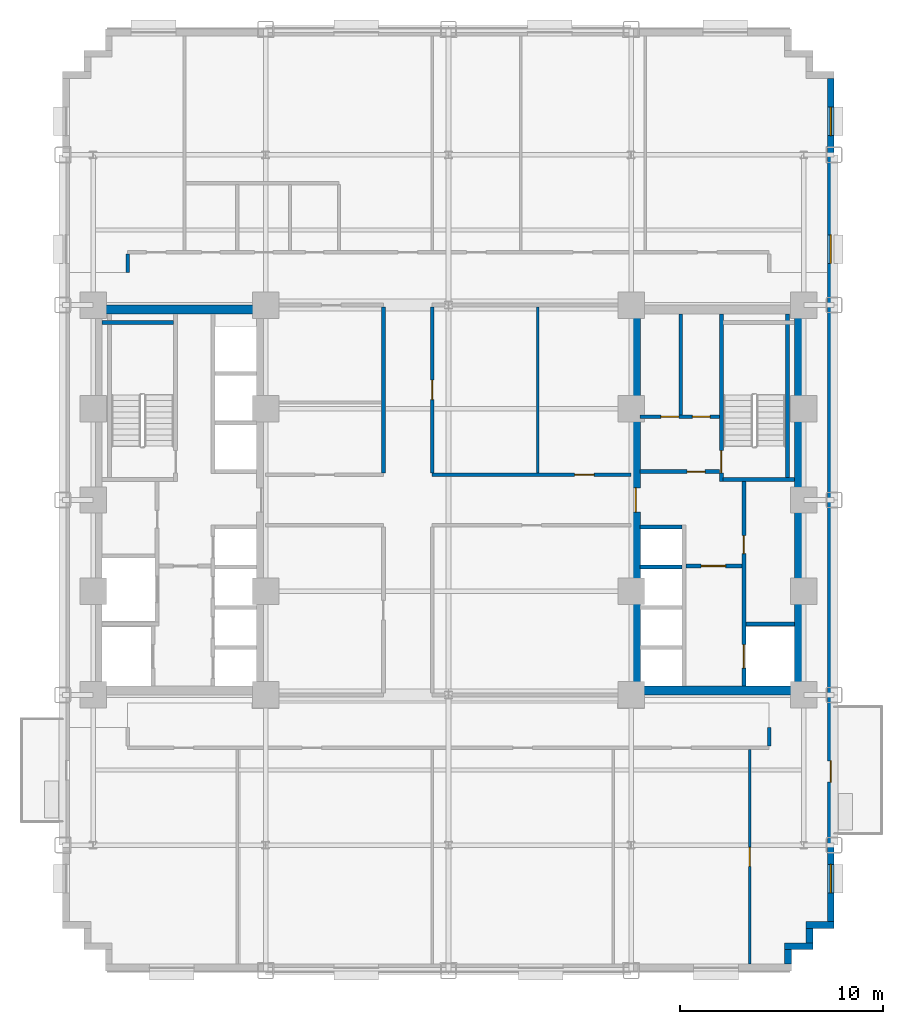
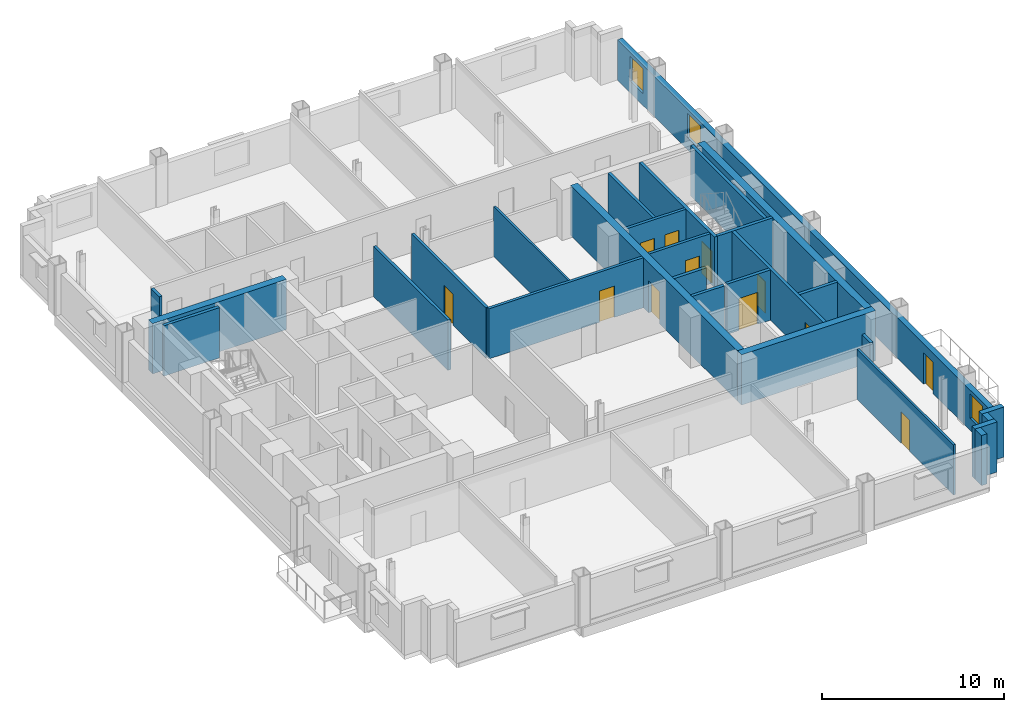
# One storey, part 6 of 12: 28 walls, 12 doors, 3 windows, 15 openings.
"""IFC4 building model written with IfcOpenShell, lengths in metres."""

from ifc_helpers import new_model, si_unit, direction, frame, frame_2d, origin, place, context, subcontext, project, spatial, rectangle, extrude, source, transform, mapped, material, layer, layer_set, type_object, type_shapes, element, fill, save


model = new_model("IFC4")

# Units and contexts
model_context = context("Model", 3, precision=1e-05, world=origin(), true_north=direction((0.0, 1.0)))
body_context = subcontext(model_context, "Body", "Model", "MODEL_VIEW")
ifc_project = project(units=[si_unit("LENGTHUNIT", "METRE"), si_unit("AREAUNIT", "SQUARE_METRE"), si_unit("VOLUMEUNIT", "CUBIC_METRE"), si_unit("PLANEANGLEUNIT", "RADIAN"), si_unit("MASSUNIT", "GRAM", prefix="KILO")], contexts=[model_context])

# Site, building, storey
site_placement = place(None, origin())
site = spatial("IfcSite", under=ifc_project, at=site_placement, CompositionType="ELEMENT")
building_placement = place(site_placement, origin())
building = spatial("IfcBuilding", under=site, at=building_placement, Name="Nuvemarco Arch Tower", CompositionType="ELEMENT")
storey_placement = place(building_placement, frame((0.0, 0.0, 45.85009765625)))
storey = spatial("IfcBuildingStorey", under=building, at=storey_placement, Name="L11", CompositionType="ELEMENT", Elevation=45.85009765625)

# Walls
ifc_material_1 = material(Name="Precast concrete C45/55", Category="concrete")
ifc_layer_1 = layer(ifc_material_1, 0.340087890625, Name="EW-LOW-340")
ifc_layer_set_1 = layer_set([ifc_layer_1], Name="Precast concrete C45/55")
wall_type_1 = type_object("IfcWallType", Name="EW-LOW-340", PredefinedType="STANDARD", material=ifc_layer_set_1)
wall_1_placement = place(storey_placement, frame((16.72998046875, -22.864013671875, 0.0), z_axis=(0.0, 0.0, 1.0), x_axis=(0.0, 1.0, 0.0)))
element("IfcWall", 1, at=wall_1_placement, inside=storey, type_object=wall_type_1, Name="L11 exterior precast facade wall 2", PredefinedType="STANDARD", context=body_context, shape_type="SweptSolid", body=[
    extrude(rectangle(XDim=0.718017578125, YDim=0.340087890625, at=frame_2d((0.35888671875, 0.0))), origin(), (0.0, 0.0, 1.0), 3.35986328125),
])
wall_2_placement = place(storey_placement, frame((16.56005859375, -21.97998046875, 0.0), z_axis=(0.0, 0.0, 1.0), x_axis=(1.0, 0.0, 0.0)))
element("IfcWall", 2, at=wall_2_placement, inside=storey, type_object=wall_type_1, Name="L11 exterior precast facade wall 3", PredefinedType="STANDARD", context=body_context, shape_type="SweptSolid", body=[
    extrude(rectangle(XDim=1.389892578125, YDim=0.340087890625, at=frame_2d((0.69482421875, 0.0))), origin(), (0.0, 0.0, 1.0), 3.35986328125),
])
wall_3_placement = place(storey_placement, frame((17.780029296875, -21.81396484375, 0.0), z_axis=(0.0, 0.0, 1.0), x_axis=(0.0, 1.0, 0.0)))
element("IfcWall", 3, at=wall_3_placement, inside=storey, type_object=wall_type_1, Name="L11 exterior precast facade wall 4", PredefinedType="STANDARD", context=body_context, shape_type="SweptSolid", body=[
    extrude(rectangle(XDim=0.718017578125, YDim=0.340087890625, at=frame_2d((0.35888671875, 0.0))), origin(), (0.0, 0.0, 1.0), 3.35986328125),
])
wall_4_placement = place(storey_placement, frame((17.610107421875, -20.929931640625, 0.0), z_axis=(0.0, 0.0, 1.0), x_axis=(1.0, 0.0, 0.0)))
element("IfcWall", 4, at=wall_4_placement, inside=storey, type_object=wall_type_1, Name="L11 exterior precast facade wall 5", PredefinedType="STANDARD", context=body_context, shape_type="SweptSolid", body=[
    extrude(rectangle(XDim=1.389892578125, YDim=0.340087890625, at=frame_2d((0.69482421875, 0.0))), origin(), (0.0, 0.0, 1.0), 3.35986328125),
])

# Wall, openings, door, windows
wall_5_placement = place(storey_placement, frame((18.830078125, -20.763916015625, 0.0), z_axis=(0.0, 0.0, 1.0), x_axis=(0.0, 1.0, 0.0)))
wall_5 = element("IfcWall", 5, at=wall_5_placement, inside=storey, type_object=wall_type_1, Name="L11 exterior precast facade wall 6", PredefinedType="STANDARD", context=body_context, shape_type="SweptSolid", body=[
    extrude(rectangle(XDim=41.52783203125, YDim=0.340087890625, at=frame_2d((20.763916015625, 0.0))), origin(), (0.0, 0.0, 1.0), 2.704833984375),
])
opening_1_placement = place(wall_5_placement, frame((7.9140625, 0.0, 0.0), z_axis=(0.0, 0.0, 1.0), x_axis=(-1.0, 0.0, 0.0)))
opening_1 = element("IfcOpeningElement", 6, at=opening_1_placement, cuts=wall_5, Name="Opening ED-5", PredefinedType="OPENING", context=body_context, shape_type="SweptSolid", body=[
    extrude(rectangle(XDim=1.050048828125, YDim=2.10009765625, at=frame_2d((0.52490234375, 1.050048828125))), frame((0.0, 0.179931640625, 0.0), z_axis=(0.0, -1.0, 0.0), x_axis=(1.0, 0.0, 0.0)), (0.0, 0.0, 1.0), 0.360107421875),
])
opening_2_placement = place(wall_5_placement, frame((1.42041015625, 0.0, 0.800048828125)))
opening_2 = element("IfcOpeningElement", 7, at=opening_2_placement, cuts=wall_5, Name="Opening WN-4", PredefinedType="OPENING", context=body_context, shape_type="SweptSolid", body=[
    extrude(rectangle(XDim=1.39990234375, YDim=1.64990234375, at=frame_2d((0.699951171875, 0.824951171875))), frame((0.0, 0.179931640625, 0.0), z_axis=(0.0, -1.0, 0.0), x_axis=(1.0, 0.0, 0.0)), (0.0, 0.0, 1.0), 0.360107421875),
])
opening_3_placement = place(wall_5_placement, frame((32.41650390625, 0.0, 0.800048828125)))
opening_3 = element("IfcOpeningElement", 8, at=opening_3_placement, cuts=wall_5, Name="Opening WN-4", PredefinedType="OPENING", context=body_context, shape_type="SweptSolid", body=[
    extrude(rectangle(XDim=1.39990234375, YDim=1.64990234375, at=frame_2d((0.699951171875, 0.824951171875))), frame((0.0, 0.179931640625, 0.0), z_axis=(0.0, -1.0, 0.0), x_axis=(1.0, 0.0, 0.0)), (0.0, 0.0, 1.0), 0.360107421875),
])
opening_4_placement = place(wall_5_placement, frame((38.70751953125, 0.0, 0.800048828125)))
opening_4 = element("IfcOpeningElement", 9, at=opening_4_placement, cuts=wall_5, Name="Opening WN-4", PredefinedType="OPENING", context=body_context, shape_type="SweptSolid", body=[
    extrude(rectangle(XDim=1.39990234375, YDim=1.64990234375, at=frame_2d((0.699951171875, 0.824951171875))), frame((0.0, 0.179931640625, 0.0), z_axis=(0.0, -1.0, 0.0), x_axis=(1.0, 0.0, 0.0)), (0.0, 0.0, 1.0), 0.360107421875),
])
ifc_material_2 = material(Name="Anodised bronze and laminated glass", Category="glass")
door_type_1 = type_object("IfcDoorType", Name="DR-EXT-TERR", OperationType="NOTDEFINED", PredefinedType="DOOR", material=ifc_material_2)
shared_shape_1 = source(origin(), body_context, "Body", "SweptSolid", [
    extrude(rectangle(XDim=1.050048828125, YDim=2.10009765625, at=frame_2d((0.52490234375, 1.050048828125))), frame((0.0, 0.02490234375, 0.0), z_axis=(0.0, -1.0, 0.0), x_axis=(1.0, 0.0, 0.0)), (0.0, 0.0, 1.0), 0.050048828125),
])
type_shapes(door_type_1, [shared_shape_1])
door_1_placement = place(opening_1_placement, origin())
door_1 = element("IfcDoor", 10, at=door_1_placement, inside=storey, type_object=door_type_1, Name="L11 spiral terrace access door", OperationType="SINGLE_SWING_RIGHT", OverallHeight=2.10009765625, OverallWidth=1.050048828125, PredefinedType="DOOR", context=body_context, shape_type="MappedRepresentation", body=[
    mapped(shared_shape_1, transform((0.0, 0.0, 0.0), scale=1.0)),
])
fill(opening_1, door_1)
ifc_material_3 = material(Name="Insulated solar-control glass", Category="glass")
window_type = type_object("IfcWindowType", Name="WN-LOW-1400x1650", PartitioningType="SINGLE_PANEL", PredefinedType="WINDOW", material=ifc_material_3)
shared_shape_2 = source(origin(), body_context, "Body", "SweptSolid", [
    extrude(rectangle(XDim=1.39990234375, YDim=1.64990234375, at=frame_2d((0.699951171875, 0.824951171875))), frame((0.0, 0.030029296875, 0.0), z_axis=(0.0, -1.0, 0.0), x_axis=(1.0, 0.0, 0.0)), (0.0, 0.0, 1.0), 0.06005859375),
])
type_shapes(window_type, [shared_shape_2])
window_1_placement = place(opening_2_placement, origin())
window_1 = element("IfcWindow", 11, at=window_1_placement, inside=storey, type_object=window_type, Name="L11 punched facade window 1", OverallHeight=1.64990234375, OverallWidth=1.39990234375, PartitioningType="SINGLE_PANEL", PredefinedType="WINDOW", context=body_context, shape_type="MappedRepresentation", body=[
    mapped(shared_shape_2, transform((0.0, 0.0, 0.0), scale=1.0)),
])
fill(opening_2, window_1)
window_2_placement = place(opening_3_placement, origin())
window_2 = element("IfcWindow", 12, at=window_2_placement, inside=storey, type_object=window_type, Name="L11 punched facade window 7", OverallHeight=1.64990234375, OverallWidth=1.39990234375, PartitioningType="SINGLE_PANEL", PredefinedType="WINDOW", context=body_context, shape_type="MappedRepresentation", body=[
    mapped(shared_shape_2, transform((0.0, 0.0, 0.0), scale=1.0)),
])
fill(opening_3, window_2)
window_3_placement = place(opening_4_placement, origin())
window_3 = element("IfcWindow", 13, at=window_3_placement, inside=storey, type_object=window_type, Name="L11 punched facade window 8", OverallHeight=1.64990234375, OverallWidth=1.39990234375, PartitioningType="SINGLE_PANEL", PredefinedType="WINDOW", context=body_context, shape_type="MappedRepresentation", body=[
    mapped(shared_shape_2, transform((0.0, 0.0, 0.0), scale=1.0)),
])
fill(opening_4, window_3)

# Walls
ifc_material_4 = material(Name="Concrete C60/75", Category="concrete")
ifc_layer_2 = layer(ifc_material_4, 0.449951171875, Name="WL-CORE-450")
ifc_layer_set_2 = layer_set([ifc_layer_2], Name="Concrete C60/75")
wall_type_2 = type_object("IfcWallType", Name="WL-CORE-450", PredefinedType="SHEAR", material=ifc_layer_set_2)
for number, where, z_axis, x_axis, name in (
    (14, (-17.5, 9.375, 0.0), (0.0, 0.0, 1.0), (1.0, 0.0, 0.0), "L11 W-core shear wall N"),
    (15, (9.0, -9.375, 0.0), (0.0, 0.0, 1.0), (1.0, 0.0, 0.0), "L11 E-core shear wall S"),
):
    element("IfcWall", number, at=place(storey_placement, frame(where, z_axis=z_axis, x_axis=x_axis)), inside=storey, type_object=wall_type_2, Name=name, PredefinedType="SHEAR", context=body_context, shape_type="SweptSolid", body=[
        extrude(rectangle(XDim=8.5, YDim=0.449951171875, at=frame_2d((4.25, 0.0))), origin(), (0.0, 0.0, 1.0), 3.369873046875),
    ])

# Wall, opening, door
wall_6_placement = place(storey_placement, frame((9.22509765625, -9.155029296875, 0.0), z_axis=(0.0, 0.0, 1.0), x_axis=(0.0, 1.0, 0.0)))
wall_6 = element("IfcWall", 16, at=wall_6_placement, inside=storey, type_object=wall_type_2, Name="L11 E-core shear wall W", PredefinedType="SHEAR", context=body_context, shape_type="SweptSolid", body=[
    extrude(rectangle(XDim=18.31005859375, YDim=0.449951171875, at=frame_2d((9.155029296875, 0.0))), origin(), (0.0, 0.0, 1.0), 3.369873046875),
])
opening_5_placement = place(wall_6_placement, frame((8.554931640625, 0.0, 0.0)))
opening_5 = element("IfcOpeningElement", 17, at=opening_5_placement, cuts=wall_6, Name="Opening FD-2", PredefinedType="OPENING", context=body_context, shape_type="SweptSolid", body=[
    extrude(rectangle(XDim=1.199951171875, YDim=2.14990234375, at=frame_2d((0.60009765625, 1.074951171875))), frame((0.0, 0.23486328125, 0.0), z_axis=(0.0, -1.0, 0.0), x_axis=(1.0, 0.0, 0.0)), (0.0, 0.0, 1.0), 0.469970703125),
])
ifc_material_5 = material(Name="Anodised steel fire door", Category="steel")
door_type_2 = type_object("IfcDoorType", Name="DR-FFLOB-FD", OperationType="NOTDEFINED", PredefinedType="DOOR", material=ifc_material_5)
shared_shape_3 = source(origin(), body_context, "Body", "SweptSolid", [
    extrude(rectangle(XDim=1.199951171875, YDim=2.14990234375, at=frame_2d((0.60009765625, 1.074951171875))), frame((0.0, 0.02490234375, 0.0), z_axis=(0.0, -1.0, 0.0), x_axis=(1.0, 0.0, 0.0)), (0.0, 0.0, 1.0), 0.050048828125),
])
type_shapes(door_type_2, [shared_shape_3])
door_2_placement = place(opening_5_placement, origin())
door_2 = element("IfcDoor", 18, at=door_2_placement, inside=storey, type_object=door_type_2, Name="L11 door FD-L11-ECORE-W", OperationType="SINGLE_SWING_LEFT", OverallHeight=2.14990234375, OverallWidth=1.199951171875, PredefinedType="DOOR", context=body_context, shape_type="MappedRepresentation", body=[
    mapped(shared_shape_3, transform((0.0, 0.0, 0.0), scale=1.0)),
])
fill(opening_5, door_2)

# Wall
wall_7_placement = place(storey_placement, frame((17.27490234375, -9.155029296875, 0.0), z_axis=(0.0, 0.0, 1.0), x_axis=(0.0, 1.0, 0.0)))
element("IfcWall", 19, at=wall_7_placement, inside=storey, type_object=wall_type_2, Name="L11 E-core shear wall E", PredefinedType="SHEAR", context=body_context, shape_type="SweptSolid", body=[
    extrude(rectangle(XDim=18.31005859375, YDim=0.449951171875, at=frame_2d((9.155029296875, 0.0))), origin(), (0.0, 0.0, 1.0), 3.369873046875),
])

# Wall, opening, door
ifc_material_6 = material(Name="Fire-rated gypsum drywall partition")
ifc_layer_3 = layer(ifc_material_6, 0.179931640625, Name="WL-CORR-180")
ifc_layer_set_3 = layer_set([ifc_layer_3], Name="Fire-rated gypsum drywall partition")
wall_type_3 = type_object("IfcWallType", Name="WL-CORR-180", PredefinedType="PARTITIONING", material=ifc_layer_set_3)
wall_8_placement = place(storey_placement, frame((9.445068359375, 1.39990234375, 0.0), z_axis=(0.0, 0.0, 1.0), x_axis=(1.0, 0.0, 0.0)))
wall_8 = element("IfcWall", 20, at=wall_8_placement, inside=storey, type_object=wall_type_3, Name="L11 interior wall IW-L11-EK-S", PredefinedType="PARTITIONING", context=body_context, shape_type="SweptSolid", body=[
    extrude(rectangle(XDim=3.89990234375, YDim=0.179931640625, at=frame_2d((1.949951171875, 0.0))), origin(), (0.0, 0.0, 1.0), 3.35986328125),
])
opening_6_placement = place(wall_8_placement, frame((2.31494140625, 0.0, 0.0)))
opening_6 = element("IfcOpeningElement", 21, at=opening_6_placement, cuts=wall_8, Name="Opening FD-4", PredefinedType="OPENING", context=body_context, shape_type="SweptSolid", body=[
    extrude(rectangle(XDim=0.8798828125, YDim=2.10009765625, at=frame_2d((0.43994140625, 1.050048828125))), frame((0.0, 0.099853515625, 0.0), z_axis=(0.0, -1.0, 0.0), x_axis=(1.0, 0.0, 0.0)), (0.0, 0.0, 1.0), 0.199951171875),
])
door_type_3 = type_object("IfcDoorType", Name="DR-RISER-FD", OperationType="NOTDEFINED", PredefinedType="DOOR", material=ifc_material_5)
shared_shape_4 = source(origin(), body_context, "Body", "SweptSolid", [
    extrude(rectangle(XDim=0.8798828125, YDim=2.10009765625, at=frame_2d((0.43994140625, 1.050048828125))), frame((0.0, 0.02490234375, 0.0), z_axis=(0.0, -1.0, 0.0), x_axis=(1.0, 0.0, 0.0)), (0.0, 0.0, 1.0), 0.050048828125),
])
type_shapes(door_type_3, [shared_shape_4])
door_3_placement = place(opening_6_placement, origin())
door_3 = element("IfcDoor", 22, at=door_3_placement, inside=storey, type_object=door_type_3, Name="L11 door FD-L11-EK3A", OperationType="SINGLE_SWING_RIGHT", OverallHeight=2.10009765625, OverallWidth=0.8798828125, PredefinedType="DOOR", context=body_context, shape_type="MappedRepresentation", body=[
    mapped(shared_shape_4, transform((0.0, 0.0, 0.0), scale=1.0)),
])
fill(opening_6, door_3)

# Wall, openings, doors
wall_9_placement = place(storey_placement, frame((9.445068359375, 4.10009765625, 0.0), z_axis=(0.0, 0.0, 1.0), x_axis=(1.0, 0.0, 0.0)))
wall_9 = element("IfcWall", 23, at=wall_9_placement, inside=storey, type_object=wall_type_3, Name="L11 interior wall IW-L11-EK3H", PredefinedType="PARTITIONING", context=body_context, shape_type="SweptSolid", body=[
    extrude(rectangle(XDim=3.89990234375, YDim=0.179931640625, at=frame_2d((1.949951171875, 0.0))), origin(), (0.0, 0.0, 1.0), 3.35986328125),
])
opening_7_placement = place(wall_9_placement, frame((1.02001953125, 0.0, 0.0)))
opening_7 = element("IfcOpeningElement", 24, at=opening_7_placement, cuts=wall_9, Name="Opening FD-4", PredefinedType="OPENING", context=body_context, shape_type="SweptSolid", body=[
    extrude(rectangle(XDim=0.8798828125, YDim=2.10009765625, at=frame_2d((0.43994140625, 1.050048828125))), frame((0.0, 0.099853515625, 0.0), z_axis=(0.0, -1.0, 0.0), x_axis=(1.0, 0.0, 0.0)), (0.0, 0.0, 1.0), 0.199951171875),
])
opening_8_placement = place(wall_9_placement, frame((2.56494140625, 0.0, 0.0)))
opening_8 = element("IfcOpeningElement", 25, at=opening_8_placement, cuts=wall_9, Name="Opening FD-4", PredefinedType="OPENING", context=body_context, shape_type="SweptSolid", body=[
    extrude(rectangle(XDim=0.8798828125, YDim=2.10009765625, at=frame_2d((0.43994140625, 1.050048828125))), frame((0.0, 0.099853515625, 0.0), z_axis=(0.0, -1.0, 0.0), x_axis=(1.0, 0.0, 0.0)), (0.0, 0.0, 1.0), 0.199951171875),
])
door_4_placement = place(opening_7_placement, origin())
door_4 = element("IfcDoor", 26, at=door_4_placement, inside=storey, type_object=door_type_3, Name="L11 door FD-L11-EK3B", OperationType="SINGLE_SWING_LEFT", OverallHeight=2.10009765625, OverallWidth=0.8798828125, PredefinedType="DOOR", context=body_context, shape_type="MappedRepresentation", body=[
    mapped(shared_shape_4, transform((0.0, 0.0, 0.0), scale=1.0)),
])
fill(opening_7, door_4)
door_5_placement = place(opening_8_placement, origin())
door_5 = element("IfcDoor", 27, at=door_5_placement, inside=storey, type_object=door_type_3, Name="L11 door FD-L11-EK3C", OperationType="SINGLE_SWING_RIGHT", OverallHeight=2.10009765625, OverallWidth=0.8798828125, PredefinedType="DOOR", context=body_context, shape_type="MappedRepresentation", body=[
    mapped(shared_shape_4, transform((0.0, 0.0, 0.0), scale=1.0)),
])
fill(opening_8, door_5)

# Wall
wall_10_placement = place(storey_placement, frame((11.449951171875, 4.18994140625, 0.0), z_axis=(0.0, 0.0, 1.0), x_axis=(0.0, 1.0, 0.0)))
element("IfcWall", 28, at=wall_10_placement, inside=storey, type_object=wall_type_3, Name="L11 interior wall IW-L11-EK3V", PredefinedType="PARTITIONING", context=body_context, shape_type="SweptSolid", body=[
    extrude(rectangle(XDim=4.965087890625, YDim=0.179931640625, at=frame_2d((2.482421875, 0.0))), origin(), (0.0, 0.0, 1.0), 3.35986328125),
])

# Wall, opening, door
wall_11_placement = place(storey_placement, frame((-0.800048828125, 1.25, 0.0), z_axis=(0.0, 0.0, 1.0), x_axis=(1.0, 0.0, 0.0)))
wall_11 = element("IfcWall", 29, at=wall_11_placement, inside=storey, type_object=wall_type_3, Name="L11 interior wall IW-L11-008", PredefinedType="PARTITIONING", context=body_context, shape_type="SweptSolid", body=[
    extrude(rectangle(XDim=9.800048828125, YDim=0.179931640625, at=frame_2d((4.89990234375, 0.0))), origin(), (0.0, 0.0, 1.0), 3.35986328125),
])
opening_9_placement = place(wall_11_placement, frame((7.02001953125, 0.0, 0.0)))
opening_9 = element("IfcOpeningElement", 30, at=opening_9_placement, cuts=wall_11, Name="Opening FD-5", PredefinedType="OPENING", context=body_context, shape_type="SweptSolid", body=[
    extrude(rectangle(XDim=0.9599609375, YDim=2.10009765625, at=frame_2d((0.47998046875, 1.050048828125))), frame((0.0, 0.099853515625, 0.0), z_axis=(0.0, -1.0, 0.0), x_axis=(1.0, 0.0, 0.0)), (0.0, 0.0, 1.0), 0.199951171875),
])
ifc_material_7 = material(Name="Timber fire door", Category="wood")
door_type_4 = type_object("IfcDoorType", Name="DR-CORR-FD", OperationType="NOTDEFINED", PredefinedType="DOOR", material=ifc_material_7)
shared_shape_5 = source(origin(), body_context, "Body", "SweptSolid", [
    extrude(rectangle(XDim=0.9599609375, YDim=2.10009765625, at=frame_2d((0.47998046875, 1.050048828125))), frame((0.0, 0.02490234375, 0.0), z_axis=(0.0, -1.0, 0.0), x_axis=(1.0, 0.0, 0.0)), (0.0, 0.0, 1.0), 0.050048828125),
])
type_shapes(door_type_4, [shared_shape_5])
door_6_placement = place(opening_9_placement, origin())
door_6 = element("IfcDoor", 31, at=door_6_placement, inside=storey, type_object=door_type_4, Name="L11 door DR-L11-C_NE2", OperationType="SINGLE_SWING_RIGHT", OverallHeight=2.10009765625, OverallWidth=0.9599609375, PredefinedType="DOOR", context=body_context, shape_type="MappedRepresentation", body=[
    mapped(shared_shape_5, transform((0.0, 0.0, 0.0), scale=1.0)),
])
fill(opening_9, door_6)

# Walls
wall_12_placement = place(storey_placement, frame((-15.800048828125, 11.199951171875, 0.0), z_axis=(0.0, 0.0, 1.0), x_axis=(0.0, 1.0, 0.0)))
element("IfcWall", 32, at=wall_12_placement, inside=storey, type_object=wall_type_3, Name="L11 interior wall IW-L11-016", PredefinedType="PARTITIONING", context=body_context, shape_type="SweptSolid", body=[
    extrude(rectangle(XDim=0.9140625, YDim=0.179931640625, at=frame_2d((0.45703125, 0.0))), origin(), (0.0, 0.0, 1.0), 3.35986328125),
])
wall_13_placement = place(storey_placement, frame((-3.199951171875, 1.3359375, 0.0), z_axis=(0.0, 0.0, 1.0), x_axis=(0.0, 1.0, 0.0)))
element("IfcWall", 33, at=wall_13_placement, inside=storey, type_object=wall_type_3, Name="L11 interior wall IW-L11-023", PredefinedType="PARTITIONING", context=body_context, shape_type="SweptSolid", body=[
    extrude(rectangle(XDim=8.177978515625, YDim=0.179931640625, at=frame_2d((4.0888671875, 0.0))), origin(), (0.0, 0.0, 1.0), 3.35986328125),
])

# Wall, opening, door
wall_14_placement = place(storey_placement, frame((-0.800048828125, 1.3359375, 0.0), z_axis=(0.0, 0.0, 1.0), x_axis=(0.0, 1.0, 0.0)))
wall_14 = element("IfcWall", 34, at=wall_14_placement, inside=storey, type_object=wall_type_3, Name="L11 interior wall IW-L11-026", PredefinedType="PARTITIONING", context=body_context, shape_type="SweptSolid", body=[
    extrude(rectangle(XDim=8.177978515625, YDim=0.179931640625, at=frame_2d((4.0888671875, 0.0))), origin(), (0.0, 0.0, 1.0), 3.35986328125),
])
opening_10_placement = place(wall_14_placement, frame((3.60888671875, 0.0, 0.0)))
opening_10 = element("IfcOpeningElement", 35, at=opening_10_placement, cuts=wall_14, Name="Opening FD-5", PredefinedType="OPENING", context=body_context, shape_type="SweptSolid", body=[
    extrude(rectangle(XDim=0.9599609375, YDim=2.10009765625, at=frame_2d((0.47998046875, 1.050048828125))), frame((0.0, 0.099853515625, 0.0), z_axis=(0.0, -1.0, 0.0), x_axis=(1.0, 0.0, 0.0)), (0.0, 0.0, 1.0), 0.199951171875),
])
door_7_placement = place(opening_10_placement, origin())
door_7 = element("IfcDoor", 36, at=door_7_placement, inside=storey, type_object=door_type_4, Name="L11 door DR-L11-C_NE1", OperationType="SINGLE_SWING_RIGHT", OverallHeight=2.10009765625, OverallWidth=0.9599609375, PredefinedType="DOOR", context=body_context, shape_type="MappedRepresentation", body=[
    mapped(shared_shape_5, transform((0.0, 0.0, 0.0), scale=1.0)),
])
fill(opening_10, door_7)

# Walls
wall_15_placement = place(storey_placement, frame((15.800048828125, -12.114013671875, 0.0), z_axis=(0.0, 0.0, 1.0), x_axis=(0.0, 1.0, 0.0)))
element("IfcWall", 37, at=wall_15_placement, inside=storey, type_object=wall_type_3, Name="L11 interior wall IW-L11-033", PredefinedType="PARTITIONING", context=body_context, shape_type="SweptSolid", body=[
    extrude(rectangle(XDim=0.9140625, YDim=0.179931640625, at=frame_2d((0.45703125, 0.0))), origin(), (0.0, 0.0, 1.0), 3.35986328125),
])
ifc_material_8 = material(Name="Glazed acoustic office partition")
ifc_layer_4 = layer(ifc_material_8, 0.1298828125, Name="WL-EXEC-130")
ifc_layer_set_4 = layer_set([ifc_layer_4], Name="Glazed acoustic office partition")
wall_type_4 = type_object("IfcWallType", Name="WL-EXEC-130", PredefinedType="PARTITIONING", material=ifc_layer_set_4)
wall_16_placement = place(storey_placement, frame((4.39990234375, 1.3359375, 0.0), z_axis=(0.0, 0.0, 1.0), x_axis=(0.0, 1.0, 0.0)))
element("IfcWall", 38, at=wall_16_placement, inside=storey, type_object=wall_type_4, Name="L11 interior wall IW-L11-029", PredefinedType="PARTITIONING", context=body_context, shape_type="SweptSolid", body=[
    extrude(rectangle(XDim=8.177978515625, YDim=0.1298828125, at=frame_2d((4.0888671875, 0.0))), origin(), (0.0, 0.0, 1.0), 3.35986328125),
])

# Wall, opening, door
wall_17_placement = place(storey_placement, frame((14.840087890625, -22.860107421875, 0.0), z_axis=(0.0, 0.0, 1.0), x_axis=(0.0, 1.0, 0.0)))
wall_17 = element("IfcWall", 39, at=wall_17_placement, inside=storey, type_object=wall_type_4, Name="L11 interior wall IW-L11-032", PredefinedType="PARTITIONING", context=body_context, shape_type="SweptSolid", body=[
    extrude(rectangle(XDim=10.57421875, YDim=0.1298828125, at=frame_2d((5.287109375, 0.0))), origin(), (0.0, 0.0, 1.0), 3.35986328125),
])
opening_11_placement = place(wall_17_placement, frame((4.81689453125, 0.0, 0.0)))
opening_11 = element("IfcOpeningElement", 40, at=opening_11_placement, cuts=wall_17, Name="Opening ID-1", PredefinedType="OPENING", context=body_context, shape_type="SweptSolid", body=[
    extrude(rectangle(XDim=0.93994140625, YDim=2.10009765625, at=frame_2d((0.469970703125, 1.050048828125))), frame((0.0, 0.074951171875, 0.0), z_axis=(0.0, -1.0, 0.0), x_axis=(1.0, 0.0, 0.0)), (0.0, 0.0, 1.0), 0.14990234375),
])
ifc_material_9 = material(Name="Veneered oak timber door", Category="wood")
door_type_5 = type_object("IfcDoorType", Name="DR-OFFICE-1", OperationType="NOTDEFINED", PredefinedType="DOOR", material=ifc_material_9)
shared_shape_6 = source(origin(), body_context, "Body", "SweptSolid", [
    extrude(rectangle(XDim=0.93994140625, YDim=2.10009765625, at=frame_2d((0.469970703125, 1.050048828125))), frame((0.0, 0.02490234375, 0.0), z_axis=(0.0, -1.0, 0.0), x_axis=(1.0, 0.0, 0.0)), (0.0, 0.0, 1.0), 0.050048828125),
])
type_shapes(door_type_5, [shared_shape_6])
door_8_placement = place(opening_11_placement, origin())
door_8 = element("IfcDoor", 41, at=door_8_placement, inside=storey, type_object=door_type_5, Name="L11 door DR-L11-S_5", OperationType="SINGLE_SWING_LEFT", OverallHeight=2.10009765625, OverallWidth=0.93994140625, PredefinedType="DOOR", context=body_context, shape_type="MappedRepresentation", body=[
    mapped(shared_shape_6, transform((0.0, 0.0, 0.0), scale=1.0)),
])
fill(opening_11, door_8)

# Wall
ifc_material_10 = material(Name="Concrete C50/60", Category="concrete")
ifc_layer_5 = layer(ifc_material_10, 0.199951171875, Name="WL-SHAFT-220")
ifc_layer_set_5 = layer_set([ifc_layer_5], Name="Concrete C50/60")
wall_type_5 = type_object("IfcWallType", Name="WL-SHAFT-220", PredefinedType="SHEAR", material=ifc_layer_set_5)
wall_18_placement = place(storey_placement, frame((-17.054931640625, 8.75, 0.0), z_axis=(0.0, 0.0, 1.0), x_axis=(1.0, 0.0, 0.0)))
element("IfcWall", 42, at=wall_18_placement, inside=storey, type_object=wall_type_5, Name="L11 structural shaft wall SW-L11-W-ST1N", PredefinedType="SHEAR", context=body_context, shape_type="SweptSolid", body=[
    extrude(rectangle(XDim=3.52001953125, YDim=0.199951171875, at=frame_2d((1.760009765625, 0.0))), origin(), (0.0, 0.0, 1.0), 3.369873046875),
])

# Wall, opening, door
wall_19_placement = place(storey_placement, frame((13.43994140625, 0.89990234375, 0.0), z_axis=(0.0, 0.0, 1.0), x_axis=(0.0, 1.0, 0.0)))
wall_19 = element("IfcWall", 43, at=wall_19_placement, inside=storey, type_object=wall_type_5, Name="L11 structural shaft wall SW-L11-E-ST2W", PredefinedType="SHEAR", context=body_context, shape_type="SweptSolid", body=[
    extrude(rectangle(XDim=8.255126953125, YDim=0.199951171875, at=frame_2d((4.12744140625, 0.0))), origin(), (0.0, 0.0, 1.0), 3.369873046875),
])
opening_12_placement = place(wall_19_placement, frame((0.429931640625, 0.0, 0.0)))
opening_12 = element("IfcOpeningElement", 44, at=opening_12_placement, cuts=wall_19, Name="Opening FD-1", PredefinedType="OPENING", context=body_context, shape_type="SweptSolid", body=[
    extrude(rectangle(XDim=1.10009765625, YDim=2.14990234375, at=frame_2d((0.550048828125, 1.074951171875))), frame((0.0, 0.10986328125, 0.0), z_axis=(0.0, -1.0, 0.0), x_axis=(1.0, 0.0, 0.0)), (0.0, 0.0, 1.0), 0.219970703125),
])
door_type_6 = type_object("IfcDoorType", Name="DR-STAIR-FD", OperationType="NOTDEFINED", PredefinedType="DOOR", material=ifc_material_5)
shared_shape_7 = source(origin(), body_context, "Body", "SweptSolid", [
    extrude(rectangle(XDim=1.10009765625, YDim=2.14990234375, at=frame_2d((0.550048828125, 1.074951171875))), frame((0.0, 0.02490234375, 0.0), z_axis=(0.0, -1.0, 0.0), x_axis=(1.0, 0.0, 0.0)), (0.0, 0.0, 1.0), 0.050048828125),
])
type_shapes(door_type_6, [shared_shape_7])
door_9_placement = place(opening_12_placement, origin())
door_9 = element("IfcDoor", 45, at=door_9_placement, inside=storey, type_object=door_type_6, Name="L11 door FD-L11-ST2", OperationType="SINGLE_SWING_LEFT", OverallHeight=2.14990234375, OverallWidth=1.10009765625, PredefinedType="DOOR", context=body_context, shape_type="MappedRepresentation", body=[
    mapped(shared_shape_7, transform((0.0, 0.0, 0.0), scale=1.0)),
])
fill(opening_12, door_9)

# Walls
wall_20_placement = place(storey_placement, frame((13.534912109375, 1.0, 0.0), z_axis=(0.0, 0.0, 1.0), x_axis=(1.0, 0.0, 0.0)))
element("IfcWall", 46, at=wall_20_placement, inside=storey, type_object=wall_type_5, Name="L11 structural shaft wall SW-L11-E-ST2S", PredefinedType="SHEAR", context=body_context, shape_type="SweptSolid", body=[
    extrude(rectangle(XDim=3.52001953125, YDim=0.199951171875, at=frame_2d((1.760009765625, 0.0))), origin(), (0.0, 0.0, 1.0), 3.369873046875),
])
wall_21_placement = place(storey_placement, frame((16.699951171875, 1.094970703125, 0.0), z_axis=(0.0, 0.0, 1.0), x_axis=(0.0, 1.0, 0.0)))
element("IfcWall", 47, at=wall_21_placement, inside=storey, type_object=wall_type_5, Name="L11 structural shaft wall SW-L11-E-ST2E", PredefinedType="SHEAR", context=body_context, shape_type="SweptSolid", body=[
    extrude(rectangle(XDim=8.06005859375, YDim=0.199951171875, at=frame_2d((4.030029296875, 0.0))), origin(), (0.0, 0.0, 1.0), 3.369873046875),
])

# Wall, openings, doors
wall_22_placement = place(storey_placement, frame((14.550048828125, -9.155029296875, 0.0), z_axis=(0.0, 0.0, 1.0), x_axis=(0.0, 1.0, 0.0)))
wall_22 = element("IfcWall", 48, at=wall_22_placement, inside=storey, type_object=wall_type_5, Name="L11 structural shaft wall SW-L11-E-SHW", PredefinedType="SHEAR", context=body_context, shape_type="SweptSolid", body=[
    extrude(rectangle(XDim=10.06005859375, YDim=0.199951171875, at=frame_2d((5.030029296875, 0.0))), origin(), (0.0, 0.0, 1.0), 3.369873046875),
])
opening_13_placement = place(wall_22_placement, frame((6.514892578125, 0.0, 0.0)))
opening_13 = element("IfcOpeningElement", 49, at=opening_13_placement, cuts=wall_22, Name="Opening FD-4", PredefinedType="OPENING", context=body_context, shape_type="SweptSolid", body=[
    extrude(rectangle(XDim=0.8798828125, YDim=2.10009765625, at=frame_2d((0.43994140625, 1.050048828125))), frame((0.0, 0.10986328125, 0.0), z_axis=(0.0, -1.0, 0.0), x_axis=(1.0, 0.0, 0.0)), (0.0, 0.0, 1.0), 0.219970703125),
])
opening_14_placement = place(wall_22_placement, frame((0.8798828125, 0.0, 0.0)))
opening_14 = element("IfcOpeningElement", 50, at=opening_14_placement, cuts=wall_22, Name="Opening LD-2", PredefinedType="OPENING", context=body_context, shape_type="SweptSolid", body=[
    extrude(rectangle(XDim=1.14990234375, YDim=2.14990234375, at=frame_2d((0.574951171875, 1.074951171875))), frame((0.0, 0.10986328125, 0.0), z_axis=(0.0, -1.0, 0.0), x_axis=(1.0, 0.0, 0.0)), (0.0, 0.0, 1.0), 0.219970703125),
])
door_10_placement = place(opening_13_placement, origin())
door_10 = element("IfcDoor", 51, at=door_10_placement, inside=storey, type_object=door_type_3, Name="L11 door FD-L11-ERIS", OperationType="SINGLE_SWING_LEFT", OverallHeight=2.10009765625, OverallWidth=0.8798828125, PredefinedType="DOOR", context=body_context, shape_type="MappedRepresentation", body=[
    mapped(shared_shape_4, transform((0.0, 0.0, 0.0), scale=1.0)),
])
fill(opening_13, door_10)
ifc_material_11 = material(Name="Stainless steel lift door", Category="steel")
door_type_7 = type_object("IfcDoorType", Name="DR-LIFT-FIRE", OperationType="DOUBLE_DOOR_SLIDING", PredefinedType="DOOR", material=ifc_material_11)
shared_shape_8 = source(origin(), body_context, "Body", "SweptSolid", [
    extrude(rectangle(XDim=1.14990234375, YDim=2.14990234375, at=frame_2d((0.574951171875, 1.074951171875))), frame((0.0, 0.02490234375, 0.0), z_axis=(0.0, -1.0, 0.0), x_axis=(1.0, 0.0, 0.0)), (0.0, 0.0, 1.0), 0.050048828125),
])
type_shapes(door_type_7, [shared_shape_8])
door_11_placement = place(opening_14_placement, origin())
door_11 = element("IfcDoor", 52, at=door_11_placement, inside=storey, type_object=door_type_7, Name="L11 Lift landing sliding door FFL-2", OperationType="DOUBLE_DOOR_SLIDING", OverallHeight=2.14990234375, OverallWidth=1.14990234375, PredefinedType="DOOR", context=body_context, shape_type="MappedRepresentation", body=[
    mapped(shared_shape_8, transform((0.0, 0.0, 0.0), scale=1.0)),
])
fill(opening_14, door_11)

# Wall
wall_23_placement = place(storey_placement, frame((14.64501953125, -6.10009765625, 0.0), z_axis=(0.0, 0.0, 1.0), x_axis=(1.0, 0.0, 0.0)))
element("IfcWall", 53, at=wall_23_placement, inside=storey, type_object=wall_type_5, Name="L11 structural shaft wall SW-L11-E-SH1", PredefinedType="SHEAR", context=body_context, shape_type="SweptSolid", body=[
    extrude(rectangle(XDim=2.409912109375, YDim=0.199951171875, at=frame_2d((1.205078125, 0.0))), origin(), (0.0, 0.0, 1.0), 3.369873046875),
])

# Wall, opening, door
wall_24_placement = place(storey_placement, frame((11.695068359375, -3.25, 0.0), z_axis=(0.0, 0.0, 1.0), x_axis=(1.0, 0.0, 0.0)))
wall_24 = element("IfcWall", 54, at=wall_24_placement, inside=storey, type_object=wall_type_5, Name="L11 structural shaft wall SW-L11-E-FFN", PredefinedType="SHEAR", context=body_context, shape_type="SweptSolid", body=[
    extrude(rectangle(XDim=2.760009765625, YDim=0.199951171875, at=frame_2d((1.3798828125, 0.0))), origin(), (0.0, 0.0, 1.0), 3.369873046875),
])
opening_15_placement = place(wall_24_placement, frame((0.7548828125, 0.0, 0.0)))
opening_15 = element("IfcOpeningElement", 55, at=opening_15_placement, cuts=wall_24, Name="Opening FD-2", PredefinedType="OPENING", context=body_context, shape_type="SweptSolid", body=[
    extrude(rectangle(XDim=1.199951171875, YDim=2.14990234375, at=frame_2d((0.60009765625, 1.074951171875))), frame((0.0, 0.10986328125, 0.0), z_axis=(0.0, -1.0, 0.0), x_axis=(1.0, 0.0, 0.0)), (0.0, 0.0, 1.0), 0.219970703125),
])
door_12_placement = place(opening_15_placement, origin())
door_12 = element("IfcDoor", 56, at=door_12_placement, inside=storey, type_object=door_type_2, Name="L11 door FD-L11-EFF2", OperationType="SINGLE_SWING_LEFT", OverallHeight=2.14990234375, OverallWidth=1.199951171875, PredefinedType="DOOR", context=body_context, shape_type="MappedRepresentation", body=[
    mapped(shared_shape_3, transform((0.0, 0.0, 0.0), scale=1.0)),
])
fill(opening_15, door_12)

# Walls
for number, where, z_axis, x_axis, name in (
    (57, (9.445068359375, -3.31005859375, 0.0), (0.0, 0.0, 1.0), (1.0, 0.0, 0.0), "L11 structural shaft wall SW-L11-E-PMD3"),
    (58, (9.445068359375, -1.330078125, 0.0), (0.0, 0.0, 1.0), (1.0, 0.0, 0.0), "L11 structural shaft wall SW-L11-E-PMD4"),
):
    element("IfcWall", number, at=place(storey_placement, frame(where, z_axis=z_axis, x_axis=x_axis)), inside=storey, type_object=wall_type_5, Name=name, PredefinedType="SHEAR", context=body_context, shape_type="SweptSolid", body=[
        extrude(rectangle(XDim=2.059814453125, YDim=0.199951171875, at=frame_2d((1.02978515625, 0.0))), origin(), (0.0, 0.0, 1.0), 3.369873046875),
    ])

save(model, "model.ifc")
